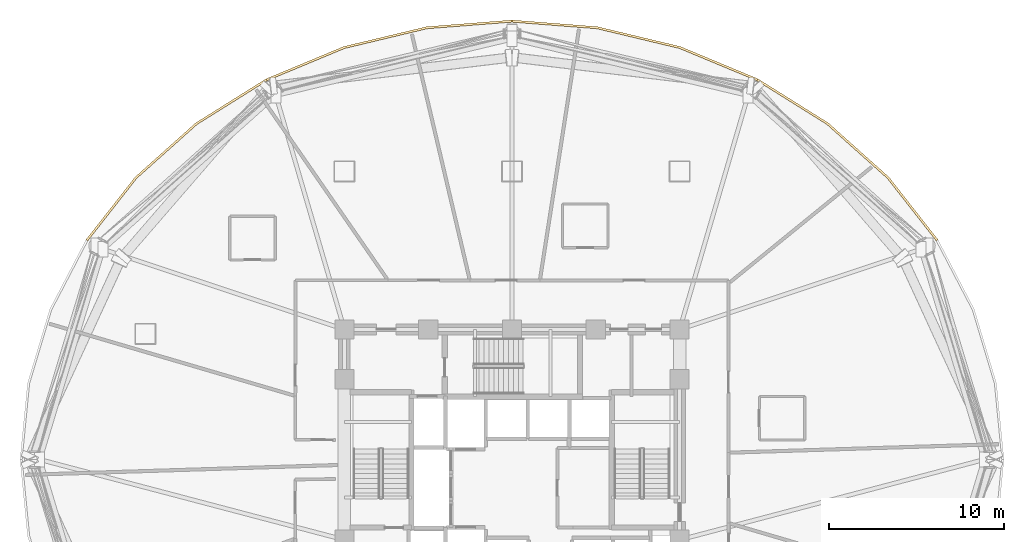
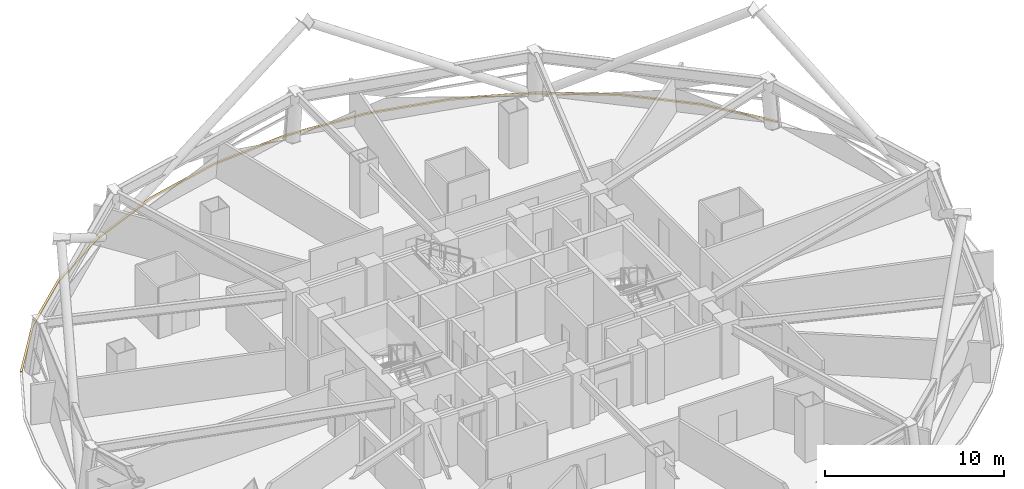
# One storey, part 13 of 13: 4 coverings.
"""IFC4 building model written with IfcOpenShell, lengths in metres."""

from ifc_helpers import new_model, si_unit, direction, frame, origin, place, context, subcontext, project, spatial, polyline, outline, extrude, material, layer, layer_set, type_object, element, save


model = new_model("IFC4")

# Units and contexts
model_context = context("Model", 3, precision=1e-05, world=origin(), true_north=direction((0.0, 1.0)))
body_context = subcontext(model_context, "Body", "Model", "MODEL_VIEW")
ifc_project = project(units=[si_unit("LENGTHUNIT", "METRE"), si_unit("AREAUNIT", "SQUARE_METRE"), si_unit("VOLUMEUNIT", "CUBIC_METRE"), si_unit("PLANEANGLEUNIT", "RADIAN"), si_unit("MASSUNIT", "GRAM", prefix="KILO")], contexts=[model_context])

# Site, building, storey
site_placement = place(None, origin())
site = spatial("IfcSite", under=ifc_project, at=site_placement, CompositionType="ELEMENT")
building_placement = place(site_placement, origin())
building = spatial("IfcBuilding", under=site, at=building_placement, Name="Vantalir Tower", CompositionType="ELEMENT")
storey_placement = place(building_placement, frame((0.0, 0.0, 87.0)))
storey = spatial("IfcBuildingStorey", under=building, at=storey_placement, Name="L21", CompositionType="ELEMENT", Elevation=87.0)

# Coverings
ifc_material = material(Name="Anodised champagne aluminium sill fascia", Category="aluminium")
ifc_layer = layer(ifc_material, 0.125)
ifc_layer_set = layer_set([ifc_layer], Name="Anodised champagne aluminium sill fascia")
covering_type = type_object("IfcCoveringType", Name="COV-SLAB-FASCIA-125", PredefinedType="CLADDING", material=ifc_layer_set)
covering_1_placement = place(storey_placement, frame((0.0, 0.0, -0.179931640625)))
element("IfcCovering", 1, at=covering_1_placement, inside=storey, type_object=covering_type, Name="L21 Perimeter Slab-Edge Sill Fascia 02", PredefinedType="CLADDING", context=body_context, shape_type="SweptSolid", body=[
    extrude(outline(polyline([(55.89990234375, 37.5849609375), (53.0830078125, 41.178955078125), (49.611083984375, 44.281005859375), (45.587890625, 46.798095703125), (45.52490234375, 46.68994140625), (49.530029296875, 44.18603515625), (52.988037109375, 41.09912109375), (55.7919921875, 37.52197265625), (55.89990234375, 37.5849609375)])), origin(), (0.0, 0.0, 1.0), 0.10498046875),
])
covering_2_placement = place(storey_placement, frame((0.0, 0.0, -0.179931640625)))
element("IfcCovering", 2, at=covering_2_placement, inside=storey, type_object=covering_type, Name="L21 Perimeter Slab-Edge Sill Fascia 03", PredefinedType="CLADDING", context=body_context, shape_type="SweptSolid", body=[
    extrude(outline(polyline([(45.587890625, 46.798095703125), (41.135986328125, 48.652099609375), (36.39306640625, 49.7880859375), (31.5, 50.169921875), (31.5, 50.044921875), (36.37109375, 49.6650390625), (41.093994140625, 48.534912109375), (45.52490234375, 46.68994140625), (45.587890625, 46.798095703125)])), origin(), (0.0, 0.0, 1.0), 0.10498046875),
])
covering_3_placement = place(storey_placement, frame((0.0, 0.0, -0.179931640625)))
element("IfcCovering", 3, at=covering_3_placement, inside=storey, type_object=covering_type, Name="L21 Perimeter Slab-Edge Sill Fascia 04", PredefinedType="CLADDING", context=body_context, shape_type="SweptSolid", body=[
    extrude(outline(polyline([(31.5, 50.169921875), (26.60693359375, 49.7880859375), (21.864013671875, 48.652099609375), (17.4130859375, 46.798095703125), (17.47509765625, 46.68994140625), (21.906005859375, 48.534912109375), (26.62890625, 49.6650390625), (31.5, 50.044921875), (31.5, 50.169921875)])), origin(), (0.0, 0.0, 1.0), 0.10498046875),
])
covering_4_placement = place(storey_placement, frame((0.0, 0.0, -0.179931640625)))
element("IfcCovering", 4, at=covering_4_placement, inside=storey, type_object=covering_type, Name="L21 Perimeter Slab-Edge Sill Fascia 05", PredefinedType="CLADDING", context=body_context, shape_type="SweptSolid", body=[
    extrude(outline(polyline([(17.4130859375, 46.798095703125), (13.388916015625, 44.281005859375), (9.9169921875, 41.178955078125), (7.10009765625, 37.5849609375), (7.2080078125, 37.52197265625), (10.011962890625, 41.09912109375), (13.469970703125, 44.18603515625), (17.47509765625, 46.68994140625), (17.4130859375, 46.798095703125)])), origin(), (0.0, 0.0, 1.0), 0.10498046875),
])

save(model, "model.ifc")
